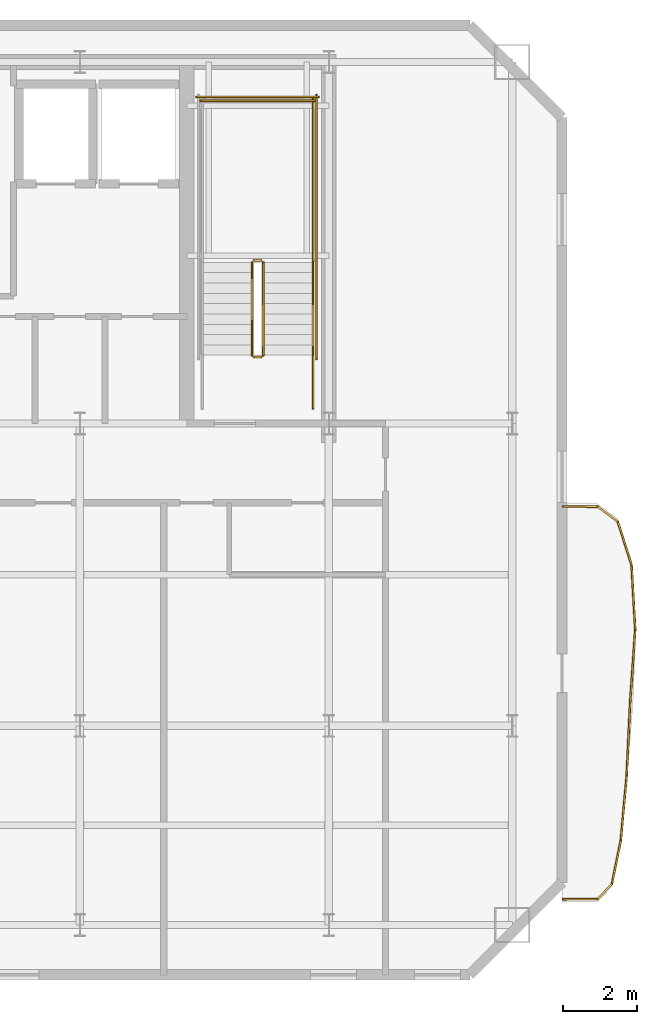
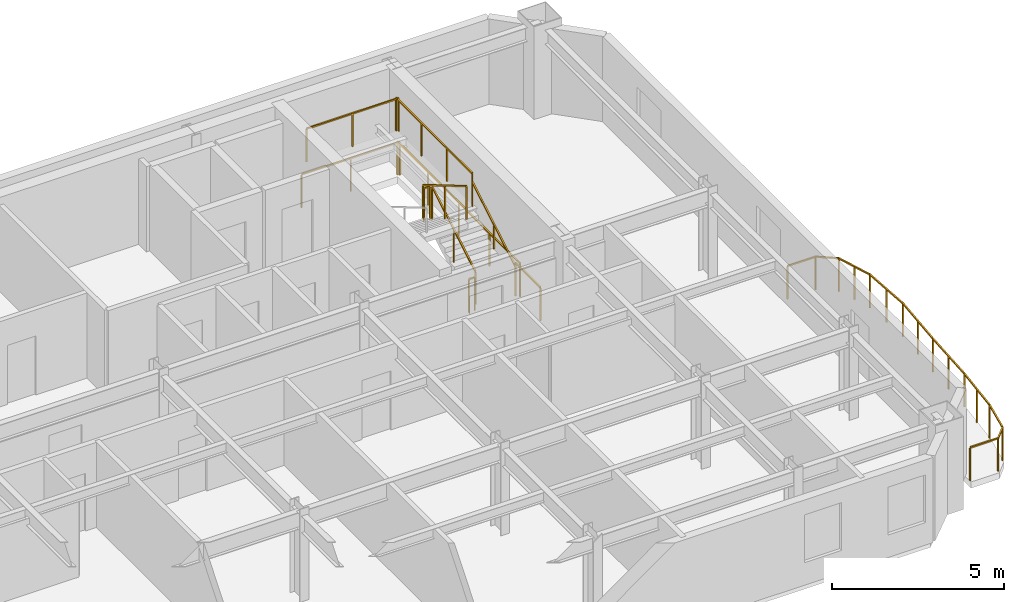
# One storey, part 6 of 6: 20 railings.
"""IFC4 building model written with IfcOpenShell, lengths in metres."""

from ifc_helpers import new_model, si_unit, direction, frame, origin, origin_2d, place, context, subcontext, project, spatial, rectangle, extrude, material, type_object, element, save


model = new_model("IFC4")

# Units and contexts
model_context = context("Model", 3, precision=1e-05, world=origin(), true_north=direction((0.0, 1.0)))
body_context = subcontext(model_context, "Body", "Model", "MODEL_VIEW")
ifc_project = project(units=[si_unit("LENGTHUNIT", "METRE"), si_unit("AREAUNIT", "SQUARE_METRE"), si_unit("VOLUMEUNIT", "CUBIC_METRE"), si_unit("PLANEANGLEUNIT", "RADIAN"), si_unit("MASSUNIT", "GRAM", prefix="KILO")], contexts=[model_context])

# Site, building, storey
site_placement = place(None, origin())
site = spatial("IfcSite", under=ifc_project, at=site_placement, CompositionType="ELEMENT")
building_placement = place(site_placement, origin())
building = spatial("IfcBuilding", under=site, at=building_placement, Name="Haevon Station Towers", CompositionType="ELEMENT")
storey_placement = place(building_placement, frame((0.0, 0.0, 242.699951171875)))
storey = spatial("IfcBuildingStorey", under=building, at=storey_placement, Name="L67", CompositionType="ELEMENT", Elevation=242.699951171875)

# Railings
ifc_material = material(Name="Steel S355", Category="steel")
railing_type_1 = type_object("IfcRailingType", Name="GRD-EXT1200", PredefinedType="GUARDRAIL", material=ifc_material)
railing_1_placement = place(storey_placement, frame((57.348388671875, 25.302978515625, 0.0)))
element("IfcRailing", 1, at=railing_1_placement, inside=storey, type_object=railing_type_1, Name="L67 Perimeter Guardrail 1", PredefinedType="GUARDRAIL", context=body_context, shape_type="SweptSolid", body=[
    extrude(rectangle(XDim=0.048095703125, YDim=0.048095703125, at=origin_2d()), frame((0.0, 0.0, 1.17578125), z_axis=(0.999997857851, 0.002069853263, 0.0), x_axis=(-0.002069853263, 0.999997857851, 0.0)), (0.0, 0.0, 1.0), 0.943603515625),
    extrude(rectangle(XDim=0.0419921875, YDim=0.0419921875, at=origin_2d()), origin(), (0.0, 0.0, 1.0), 1.15185546875),
    extrude(rectangle(XDim=0.0419921875, YDim=0.0419921875, at=origin_2d()), frame((0.943603515625, 0.001953125, 0.0)), (0.0, 0.0, 1.0), 1.15185546875),
])
railing_2_placement = place(storey_placement, frame((58.2919921875, 25.304931640625, 0.0)))
element("IfcRailing", 2, at=railing_2_placement, inside=storey, type_object=railing_type_1, Name="L67 Perimeter Guardrail 2", PredefinedType="GUARDRAIL", context=body_context, shape_type="SweptSolid", body=[
    extrude(rectangle(XDim=0.048095703125, YDim=0.048095703125, at=origin_2d()), frame((0.0, 0.0, 1.17578125), z_axis=(0.683306289544, 0.730131847456, 0.0), x_axis=(-0.730131847456, 0.683306289544, 0.0)), (0.0, 0.0, 1.0), 0.56298828125),
    extrude(rectangle(XDim=0.0419921875, YDim=0.0419921875, at=origin_2d()), origin(), (0.0, 0.0, 1.0), 1.15185546875),
    extrude(rectangle(XDim=0.0419921875, YDim=0.0419921875, at=origin_2d()), frame((0.384765625, 0.4111328125, 0.0)), (0.0, 0.0, 1.0), 1.15185546875),
])
railing_3_placement = place(storey_placement, frame((58.6767578125, 25.716064453125, 0.0)))
element("IfcRailing", 3, at=railing_3_placement, inside=storey, type_object=railing_type_1, Name="L67 Perimeter Guardrail 3", PredefinedType="GUARDRAIL", context=body_context, shape_type="SweptSolid", body=[
    extrude(rectangle(XDim=0.048095703125, YDim=0.048095703125, at=origin_2d()), frame((0.0, 0.0, 1.17578125), z_axis=(0.201497232752, 0.979489083754, 0.0), x_axis=(-0.979489083754, 0.201497232752, 0.0)), (0.0, 0.0, 1.0), 1.194580078125),
    extrude(rectangle(XDim=0.0419921875, YDim=0.0419921875, at=origin_2d()), origin(), (0.0, 0.0, 1.0), 1.15185546875),
    extrude(rectangle(XDim=0.0419921875, YDim=0.0419921875, at=origin_2d()), frame((0.24072265625, 1.170166015625, 0.0)), (0.0, 0.0, 1.0), 1.15185546875),
])
railing_4_placement = place(storey_placement, frame((58.91748046875, 26.88623046875, 0.0)))
element("IfcRailing", 4, at=railing_4_placement, inside=storey, type_object=railing_type_1, Name="L67 Perimeter Guardrail 4", PredefinedType="GUARDRAIL", context=body_context, shape_type="SweptSolid", body=[
    extrude(rectangle(XDim=0.048095703125, YDim=0.048095703125, at=origin_2d()), frame((0.0, 0.0, 1.17578125), z_axis=(0.090310252801, 0.995913680114, 0.0), x_axis=(-0.995913680114, 0.090310252801, 0.0)), (0.0, 0.0, 1.0), 1.757080078125),
    extrude(rectangle(XDim=0.0419921875, YDim=0.0419921875, at=origin_2d()), origin(), (0.0, 0.0, 1.0), 1.15185546875),
    extrude(rectangle(XDim=0.0419921875, YDim=0.0419921875, at=origin_2d()), frame((0.079345703125, 0.875, 0.0)), (0.0, 0.0, 1.0), 1.15185546875),
    extrude(rectangle(XDim=0.0419921875, YDim=0.0419921875, at=origin_2d()), frame((0.15869140625, 1.75, 0.0)), (0.0, 0.0, 1.0), 1.15185546875),
])
railing_5_placement = place(storey_placement, frame((59.076171875, 28.63623046875, 0.0)))
element("IfcRailing", 5, at=railing_5_placement, inside=storey, type_object=railing_type_1, Name="L67 Perimeter Guardrail 5", PredefinedType="GUARDRAIL", context=body_context, shape_type="SweptSolid", body=[
    extrude(rectangle(XDim=0.048095703125, YDim=0.048095703125, at=origin_2d()), frame((0.0, 0.0, 1.17578125), z_axis=(0.047454457012, 0.998873402644, 0.0), x_axis=(-0.998873402644, 0.047454457012, 0.0)), (0.0, 0.0, 1.0), 1.990966796875),
    extrude(rectangle(XDim=0.0419921875, YDim=0.0419921875, at=origin_2d()), origin(), (0.0, 0.0, 1.0), 1.15185546875),
    extrude(rectangle(XDim=0.0419921875, YDim=0.0419921875, at=origin_2d()), frame((0.04736328125, 0.994384765625, 0.0)), (0.0, 0.0, 1.0), 1.15185546875),
    extrude(rectangle(XDim=0.0419921875, YDim=0.0419921875, at=origin_2d()), frame((0.094482421875, 1.98876953125, 0.0)), (0.0, 0.0, 1.0), 1.15185546875),
])
railing_6_placement = place(storey_placement, frame((59.170654296875, 30.625, 0.0)))
element("IfcRailing", 6, at=railing_6_placement, inside=storey, type_object=railing_type_1, Name="L67 Perimeter Guardrail 6", PredefinedType="GUARDRAIL", context=body_context, shape_type="SweptSolid", body=[
    extrude(rectangle(XDim=0.048095703125, YDim=0.048095703125, at=origin_2d()), frame((0.0, 0.0, 1.17578125), z_axis=(0.069960576388, 0.99754975703, 0.0), x_axis=(-0.99754975703, 0.069960576388, 0.0)), (0.0, 0.0, 1.0), 1.99609375),
    extrude(rectangle(XDim=0.0419921875, YDim=0.0419921875, at=origin_2d()), origin(), (0.0, 0.0, 1.0), 1.15185546875),
    extrude(rectangle(XDim=0.0419921875, YDim=0.0419921875, at=origin_2d()), frame((0.06982421875, 0.99560546875, 0.0)), (0.0, 0.0, 1.0), 1.15185546875),
    extrude(rectangle(XDim=0.0419921875, YDim=0.0419921875, at=origin_2d()), frame((0.1396484375, 1.9912109375, 0.0)), (0.0, 0.0, 1.0), 1.15185546875),
])
railing_7_placement = place(storey_placement, frame((59.310302734375, 32.6162109375, 0.0)))
element("IfcRailing", 7, at=railing_7_placement, inside=storey, type_object=railing_type_1, Name="L67 Perimeter Guardrail 7", PredefinedType="GUARDRAIL", context=body_context, shape_type="SweptSolid", body=[
    extrude(rectangle(XDim=0.048095703125, YDim=0.048095703125, at=origin_2d()), frame((0.0, 0.0, 1.17578125), z_axis=(-0.057716779897, 0.99833299721, 0.0), x_axis=(-0.99833299721, -0.057716779897, 0.0)), (0.0, 0.0, 1.0), 1.751220703125),
    extrude(rectangle(XDim=0.0419921875, YDim=0.0419921875, at=origin_2d()), origin(), (0.0, 0.0, 1.0), 1.15185546875),
    extrude(rectangle(XDim=0.0419921875, YDim=0.0419921875, at=origin_2d()), frame((-0.050537109375, 0.8740234375, 0.0)), (0.0, 0.0, 1.0), 1.15185546875),
    extrude(rectangle(XDim=0.0419921875, YDim=0.0419921875, at=origin_2d()), frame((-0.10107421875, 1.748291015625, 0.0)), (0.0, 0.0, 1.0), 1.15185546875),
])
railing_8_placement = place(storey_placement, frame((59.209228515625, 34.364501953125, 0.0)))
element("IfcRailing", 8, at=railing_8_placement, inside=storey, type_object=railing_type_1, Name="L67 Perimeter Guardrail 8", PredefinedType="GUARDRAIL", context=body_context, shape_type="SweptSolid", body=[
    extrude(rectangle(XDim=0.048095703125, YDim=0.048095703125, at=origin_2d()), frame((0.0, 0.0, 1.17578125), z_axis=(-0.303187234273, 0.952931005359, 0.0), x_axis=(-0.952931005359, -0.303187234273, 0.0)), (0.0, 0.0, 1.0), 1.227294921875),
    extrude(rectangle(XDim=0.0419921875, YDim=0.0419921875, at=origin_2d()), origin(), (0.0, 0.0, 1.0), 1.15185546875),
    extrude(rectangle(XDim=0.0419921875, YDim=0.0419921875, at=origin_2d()), frame((-0.18603515625, 0.584716796875, 0.0)), (0.0, 0.0, 1.0), 1.15185546875),
    extrude(rectangle(XDim=0.0419921875, YDim=0.0419921875, at=origin_2d()), frame((-0.3720703125, 1.16943359375, 0.0)), (0.0, 0.0, 1.0), 1.15185546875),
])
railing_9_placement = place(storey_placement, frame((58.837158203125, 35.533935546875, 0.0)))
element("IfcRailing", 9, at=railing_9_placement, inside=storey, type_object=railing_type_1, Name="L67 Perimeter Guardrail 9", PredefinedType="GUARDRAIL", context=body_context, shape_type="SweptSolid", body=[
    extrude(rectangle(XDim=0.048095703125, YDim=0.048095703125, at=origin_2d()), frame((0.0, 0.0, 1.17578125), z_axis=(-0.798409676693, 0.602114597201, 0.0), x_axis=(-0.602114597201, -0.798409676693, 0.0)), (0.0, 0.0, 1.0), 0.682861328125),
    extrude(rectangle(XDim=0.0419921875, YDim=0.0419921875, at=origin_2d()), origin(), (0.0, 0.0, 1.0), 1.15185546875),
    extrude(rectangle(XDim=0.0419921875, YDim=0.0419921875, at=origin_2d()), frame((-0.545166015625, 0.4111328125, 0.0)), (0.0, 0.0, 1.0), 1.15185546875),
])
railing_10_placement = place(storey_placement, frame((58.2919921875, 35.945068359375, 0.0)))
element("IfcRailing", 10, at=railing_10_placement, inside=storey, type_object=railing_type_1, Name="L67 Perimeter Guardrail 10", PredefinedType="GUARDRAIL", context=body_context, shape_type="SweptSolid", body=[
    extrude(rectangle(XDim=0.048095703125, YDim=0.048095703125, at=origin_2d()), frame((0.0, 0.0, 1.17578125), z_axis=(-0.999997857851, 0.002069853263, 0.0), x_axis=(-0.002069853263, -0.999997857851, 0.0)), (0.0, 0.0, 1.0), 0.943603515625),
    extrude(rectangle(XDim=0.0419921875, YDim=0.0419921875, at=origin_2d()), origin(), (0.0, 0.0, 1.0), 1.15185546875),
    extrude(rectangle(XDim=0.0419921875, YDim=0.0419921875, at=origin_2d()), frame((-0.943603515625, 0.001953125, 0.0)), (0.0, 0.0, 1.0), 1.15185546875),
])
railing_type_2 = type_object("IfcRailingType", Name="GRD-STR1200", PredefinedType="GUARDRAIL", material=ifc_material)
railing_11_placement = place(storey_placement, frame((49.219970703125, 40.050048828125, 0.1650390625)))
element("IfcRailing", 11, at=railing_11_placement, inside=storey, type_object=railing_type_2, Name="L67 ST2 Stair Guard 1", PredefinedType="GUARDRAIL", context=body_context, shape_type="SweptSolid", body=[
    extrude(rectangle(XDim=0.048095703125, YDim=0.048095703125, at=origin_2d()), frame((0.0, 0.0, 1.17578125), z_axis=(0.0, 0.86152411907, 0.507716645641), x_axis=(-1.0, 0.0, 0.0)), (0.0, 0.0, 1.0), 2.925048828125),
    extrude(rectangle(XDim=0.0419921875, YDim=0.0419921875, at=origin_2d()), origin(), (0.0, 0.0, 1.0), 1.15185546875),
    extrude(rectangle(XDim=0.0419921875, YDim=0.0419921875, at=origin_2d()), frame((0.0, 1.260009765625, 0.74267578125)), (0.0, 0.0, 1.0), 1.15185546875),
    extrude(rectangle(XDim=0.0419921875, YDim=0.0419921875, at=origin_2d()), frame((0.0, 2.52001953125, 1.485107421875)), (0.0, 0.0, 1.0), 1.15185546875),
])
railing_12_placement = place(storey_placement, frame((49.169921875, 42.6201171875, 1.650146484375)))
element("IfcRailing", 12, at=railing_12_placement, inside=storey, type_object=railing_type_2, Name="L67 ST2 Stair Guard 2", PredefinedType="GUARDRAIL", context=body_context, shape_type="SweptSolid", body=[
    extrude(rectangle(XDim=0.048095703125, YDim=0.048095703125, at=origin_2d()), frame((0.0, 0.0, 1.17578125), z_axis=(-1.0, 0.0, 0.0), x_axis=(0.0, -1.0, 0.0)), (0.0, 0.0, 1.0), 0.199951171875),
    extrude(rectangle(XDim=0.0419921875, YDim=0.0419921875, at=origin_2d()), origin(), (0.0, 0.0, 1.0), 1.15185546875),
    extrude(rectangle(XDim=0.0419921875, YDim=0.0419921875, at=origin_2d()), frame((-0.199951171875, 0.0, 0.0)), (0.0, 0.0, 1.0), 1.15185546875),
])
railing_13_placement = place(storey_placement, frame((50.570068359375, 42.570068359375, 1.650146484375)))
element("IfcRailing", 13, at=railing_13_placement, inside=storey, type_object=railing_type_2, Name="L67 ST2 Stair Guard 3", PredefinedType="GUARDRAIL", context=body_context, shape_type="SweptSolid", body=[
    extrude(rectangle(XDim=0.048095703125, YDim=0.048095703125, at=origin_2d()), frame((0.0, 0.0, 1.17578125), z_axis=(0.0, 1.0, 0.0), x_axis=(-1.0, 0.0, 0.0)), (0.0, 0.0, 1.0), 4.429931640625),
    extrude(rectangle(XDim=0.0419921875, YDim=0.0419921875, at=origin_2d()), origin(), (0.0, 0.0, 1.0), 1.15185546875),
    extrude(rectangle(XDim=0.0419921875, YDim=0.0419921875, at=origin_2d()), frame((0.0, 1.4765625, 0.0)), (0.0, 0.0, 1.0), 1.15185546875),
    extrude(rectangle(XDim=0.0419921875, YDim=0.0419921875, at=origin_2d()), frame((0.0, 2.953369140625, 0.0)), (0.0, 0.0, 1.0), 1.15185546875),
    extrude(rectangle(XDim=0.0419921875, YDim=0.0419921875, at=origin_2d()), frame((0.0, 4.429931640625, 0.0)), (0.0, 0.0, 1.0), 1.15185546875),
])
railing_14_placement = place(storey_placement, frame((50.6201171875, 46.949951171875, 1.650146484375)))
element("IfcRailing", 14, at=railing_14_placement, inside=storey, type_object=railing_type_2, Name="L67 ST2 Stair Guard 5", PredefinedType="GUARDRAIL", context=body_context, shape_type="SweptSolid", body=[
    extrude(rectangle(XDim=0.048095703125, YDim=0.048095703125, at=origin_2d()), frame((0.0, 0.0, 1.17578125), z_axis=(-1.0, 0.0, 0.0), x_axis=(0.0, -1.0, 0.0)), (0.0, 0.0, 1.0), 3.10009765625),
    extrude(rectangle(XDim=0.0419921875, YDim=0.0419921875, at=origin_2d()), origin(), (0.0, 0.0, 1.0), 1.15185546875),
    extrude(rectangle(XDim=0.0419921875, YDim=0.0419921875, at=origin_2d()), frame((-1.550048828125, 0.0, 0.0)), (0.0, 0.0, 1.0), 1.15185546875),
    extrude(rectangle(XDim=0.0419921875, YDim=0.0419921875, at=origin_2d()), frame((-3.10009765625, 0.0, 0.0)), (0.0, 0.0, 1.0), 1.15185546875),
])
railing_15_placement = place(storey_placement, frame((48.919921875, 42.570068359375, 1.81494140625)))
element("IfcRailing", 15, at=railing_15_placement, inside=storey, type_object=railing_type_2, Name="L67 ST2 Stair Guard 6", PredefinedType="GUARDRAIL", context=body_context, shape_type="SweptSolid", body=[
    extrude(rectangle(XDim=0.048095703125, YDim=0.048095703125, at=origin_2d()), frame((0.0, 0.0, 1.17578125), z_axis=(0.0, -0.86152411907, 0.507716645641), x_axis=(1.0, 0.0, 0.0)), (0.0, 0.0, 1.0), 2.925048828125),
    extrude(rectangle(XDim=0.0419921875, YDim=0.0419921875, at=origin_2d()), origin(), (0.0, 0.0, 1.0), 1.15185546875),
    extrude(rectangle(XDim=0.0419921875, YDim=0.0419921875, at=origin_2d()), frame((0.0, -1.260009765625, 0.74267578125)), (0.0, 0.0, 1.0), 1.15185546875),
    extrude(rectangle(XDim=0.0419921875, YDim=0.0419921875, at=origin_2d()), frame((0.0, -2.52001953125, 1.485107421875)), (0.0, 0.0, 1.0), 1.15185546875),
])
railing_16_placement = place(storey_placement, frame((49.169921875, 40.0, 0.0)))
element("IfcRailing", 16, at=railing_16_placement, inside=storey, type_object=railing_type_2, Name="L67 ST2 Stair Guard 7", PredefinedType="GUARDRAIL", context=body_context, shape_type="SweptSolid", body=[
    extrude(rectangle(XDim=0.048095703125, YDim=0.048095703125, at=origin_2d()), frame((0.0, 0.0, 1.17578125), z_axis=(-1.0, 0.0, 0.0), x_axis=(0.0, -1.0, 0.0)), (0.0, 0.0, 1.0), 0.199951171875),
    extrude(rectangle(XDim=0.0419921875, YDim=0.0419921875, at=origin_2d()), origin(), (0.0, 0.0, 1.0), 1.15185546875),
    extrude(rectangle(XDim=0.0419921875, YDim=0.0419921875, at=origin_2d()), frame((-0.199951171875, 0.0, 0.0)), (0.0, 0.0, 1.0), 1.15185546875),
])
railing_17_placement = place(storey_placement, frame((50.570068359375, 38.60009765625, 0.0)))
element("IfcRailing", 17, at=railing_17_placement, inside=storey, type_object=railing_type_2, Name="L67 ST2 Stair Guard 8", PredefinedType="GUARDRAIL", context=body_context, shape_type="SweptSolid", body=[
    extrude(rectangle(XDim=0.048095703125, YDim=0.048095703125, at=origin_2d()), frame((0.0, 0.0, 1.17578125), z_axis=(0.0, 1.0, 0.0), x_axis=(-1.0, 0.0, 0.0)), (0.0, 0.0, 1.0), 1.449951171875),
    extrude(rectangle(XDim=0.0419921875, YDim=0.0419921875, at=origin_2d()), origin(), (0.0, 0.0, 1.0), 1.15185546875),
    extrude(rectangle(XDim=0.0419921875, YDim=0.0419921875, at=origin_2d()), frame((0.0, 1.449951171875, 0.0)), (0.0, 0.0, 1.0), 1.15185546875),
])
railing_18_placement = place(storey_placement, frame((50.669921875, 39.949951171875, 0.0)))
element("IfcRailing", 18, at=railing_18_placement, inside=storey, type_object=railing_type_2, Name="L67 ST2 Stair Guard 10", PredefinedType="GUARDRAIL", context=body_context, shape_type="SweptSolid", body=[
    extrude(rectangle(XDim=0.048095703125, YDim=0.048095703125, at=origin_2d()), frame((0.0, 0.0, 1.17578125), z_axis=(0.0, 1.0, 0.0), x_axis=(-1.0, 0.0, 0.0)), (0.0, 0.0, 1.0), 7.150146484375),
    extrude(rectangle(XDim=0.0419921875, YDim=0.0419921875, at=origin_2d()), origin(), (0.0, 0.0, 1.0), 1.15185546875),
    extrude(rectangle(XDim=0.0419921875, YDim=0.0419921875, at=origin_2d()), frame((0.0, 1.78759765625, 0.0)), (0.0, 0.0, 1.0), 1.15185546875),
    extrude(rectangle(XDim=0.0419921875, YDim=0.0419921875, at=origin_2d()), frame((0.0, 3.5751953125, 0.0)), (0.0, 0.0, 1.0), 1.15185546875),
    extrude(rectangle(XDim=0.0419921875, YDim=0.0419921875, at=origin_2d()), frame((0.0, 5.362548828125, 0.0)), (0.0, 0.0, 1.0), 1.15185546875),
    extrude(rectangle(XDim=0.0419921875, YDim=0.0419921875, at=origin_2d()), frame((0.0, 7.150146484375, 0.0)), (0.0, 0.0, 1.0), 1.15185546875),
])
railing_19_placement = place(storey_placement, frame((50.719970703125, 47.050048828125, 0.0)))
element("IfcRailing", 19, at=railing_19_placement, inside=storey, type_object=railing_type_2, Name="L67 ST2 Stair Guard 12", PredefinedType="GUARDRAIL", context=body_context, shape_type="SweptSolid", body=[
    extrude(rectangle(XDim=0.048095703125, YDim=0.048095703125, at=origin_2d()), frame((0.0, 0.0, 1.17578125), z_axis=(-1.0, 0.0, 0.0), x_axis=(0.0, -1.0, 0.0)), (0.0, 0.0, 1.0), 3.300048828125),
    extrude(rectangle(XDim=0.0419921875, YDim=0.0419921875, at=origin_2d()), origin(), (0.0, 0.0, 1.0), 1.15185546875),
    extrude(rectangle(XDim=0.0419921875, YDim=0.0419921875, at=origin_2d()), frame((-1.64990234375, 0.0, 0.0)), (0.0, 0.0, 1.0), 1.15185546875),
    extrude(rectangle(XDim=0.0419921875, YDim=0.0419921875, at=origin_2d()), frame((-3.300048828125, 0.0, 0.0)), (0.0, 0.0, 1.0), 1.15185546875),
])
railing_type_3 = type_object("IfcRailingType", Name="HND-STR900", PredefinedType="HANDRAIL", material=ifc_material)
railing_20_placement = place(storey_placement, frame((50.570068359375, 40.050048828125, 0.1650390625)))
element("IfcRailing", 20, at=railing_20_placement, inside=storey, type_object=railing_type_3, Name="L67 ST2 Stair Handrail 1", PredefinedType="HANDRAIL", context=body_context, shape_type="SweptSolid", body=[
    extrude(rectangle(XDim=0.048095703125, YDim=0.048095703125, at=origin_2d()), frame((0.0, 0.0, 0.8759765625), z_axis=(0.0, 0.86152411907, 0.507716645641), x_axis=(-1.0, 0.0, 0.0)), (0.0, 0.0, 1.0), 2.925048828125),
    extrude(rectangle(XDim=0.0419921875, YDim=0.0419921875, at=origin_2d()), origin(), (0.0, 0.0, 1.0), 0.851806640625),
    extrude(rectangle(XDim=0.0419921875, YDim=0.0419921875, at=origin_2d()), frame((0.0, 1.260009765625, 0.74267578125)), (0.0, 0.0, 1.0), 0.851806640625),
    extrude(rectangle(XDim=0.0419921875, YDim=0.0419921875, at=origin_2d()), frame((0.0, 2.52001953125, 1.485107421875)), (0.0, 0.0, 1.0), 0.851806640625),
])

save(model, "model.ifc")
